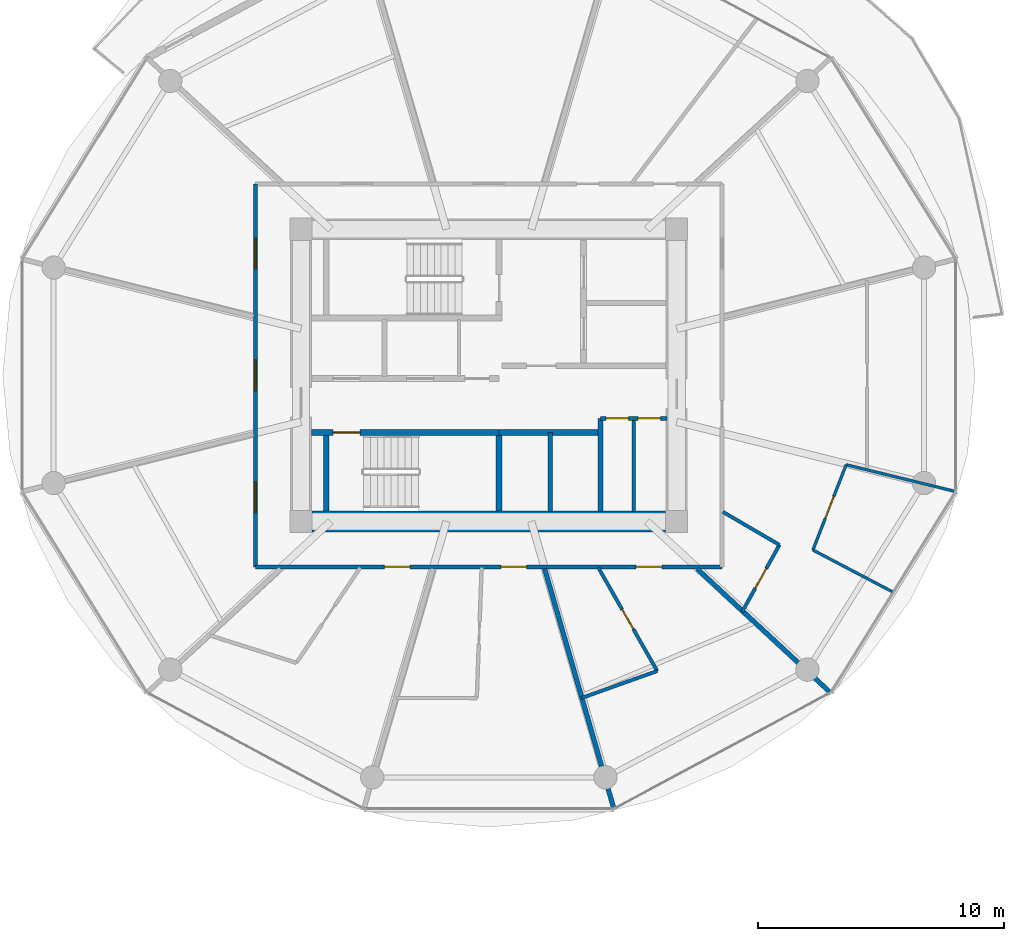
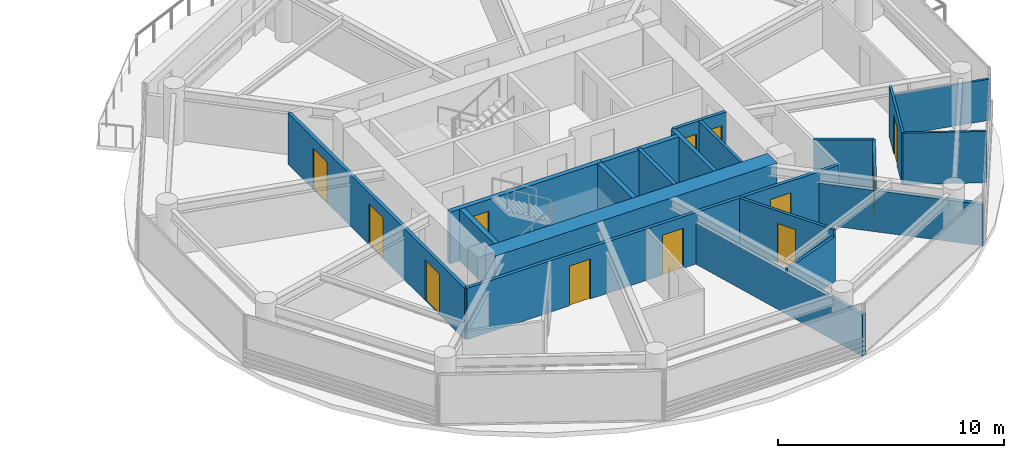
# One storey, part 18 of 26: 20 walls, 12 doors, 12 openings.
"""IFC4 building model written with IfcOpenShell, lengths in metres."""

from ifc_helpers import new_model, si_unit, direction, frame, frame_2d, origin, place, context, subcontext, project, spatial, rectangle, extrude, source, transform, mapped, material, layer, layer_set, type_object, type_shapes, element, fill, save


model = new_model("IFC4")

# Units and contexts
model_context = context("Model", 3, precision=1e-05, world=origin(), true_north=direction((0.0, 1.0)))
body_context = subcontext(model_context, "Body", "Model", "MODEL_VIEW")
ifc_project = project(units=[si_unit("LENGTHUNIT", "METRE"), si_unit("AREAUNIT", "SQUARE_METRE"), si_unit("VOLUMEUNIT", "CUBIC_METRE"), si_unit("PLANEANGLEUNIT", "RADIAN"), si_unit("MASSUNIT", "GRAM", prefix="KILO")], contexts=[model_context])

# Site, building, storey
site_placement = place(None, origin())
site = spatial("IfcSite", under=ifc_project, at=site_placement, CompositionType="ELEMENT")
building_placement = place(site_placement, origin())
building = spatial("IfcBuilding", under=site, at=building_placement, Name="Norrkilde Senior Care Towers", CompositionType="ELEMENT")
storey_placement = place(building_placement, frame((0.0, 0.0, 49.050048828125)))
storey = spatial("IfcBuildingStorey", under=building, at=storey_placement, Name="L14", CompositionType="ELEMENT", Elevation=49.050048828125)

# Walls
ifc_material_1 = material(Name="Concrete C60/75", Category="concrete")
ifc_layer_1 = layer(ifc_material_1, 0.85009765625)
ifc_layer_set_1 = layer_set([ifc_layer_1], Name="Concrete C60/75")
wall_type_1 = type_object("IfcWallType", Name="Core Shear Wall Z1 850", PredefinedType="SHEAR", material=ifc_layer_set_1)
shared_shape_1 = source(origin(), body_context, "Body", "SweptSolid", [
    extrude(rectangle(XDim=14.39990234375, YDim=0.85009765625, at=frame_2d((7.199951171875, 0.0))), origin(), (0.0, 0.0, 1.0), 2.7900390625),
])
type_shapes(wall_type_1, [shared_shape_1])
wall_1_placement = place(storey_placement, frame((35.199951171875, -5.949951171875, 0.0), z_axis=(0.0, 0.0, 1.0), x_axis=(-1.0, 0.0, 0.0)))
element("IfcWall", 1, at=wall_1_placement, inside=storey, type_object=wall_type_1, Name="L14 Core E South Shear Wall", PredefinedType="SHEAR", context=body_context, shape_type="MappedRepresentation", body=[
    mapped(shared_shape_1, transform((0.0, 0.0, 0.0), x_axis=(1.0, 0.0, 0.0), y_axis=(0.0, 1.0, 0.0), z_axis=(0.0, 0.0, 1.0), scale=1.0)),
])
ifc_material_2 = material(Name="Concrete C45/55", Category="concrete")
ifc_layer_2 = layer(ifc_material_2, 0.199951171875)
ifc_layer_set_2 = layer_set([ifc_layer_2], Name="Concrete C45/55")
wall_type_2 = type_object("IfcWallType", Name="Shaft Division and Plant Partition 200", PredefinedType="PARTITIONING", material=ifc_layer_set_2)
shared_shape_2 = source(origin(), body_context, "Body", "SweptSolid", [
    extrude(rectangle(XDim=3.800048828125, YDim=0.199951171875, at=frame_2d((1.89990234375, 0.0))), origin(), (0.0, 0.0, 1.0), 2.77490234375),
])
type_shapes(wall_type_2, [shared_shape_2])
wall_2_placement = place(storey_placement, frame((32.550048828125, -5.550048828125, 0.0), z_axis=(0.0, 0.0, 1.0), x_axis=(0.0, 1.0, 0.0)))
element("IfcWall", 2, at=wall_2_placement, inside=storey, type_object=wall_type_2, Name="WL-INT-L14-E-PKBE", PredefinedType="PARTITIONING", context=body_context, shape_type="MappedRepresentation", body=[
    mapped(shared_shape_2, transform((0.0, 0.0, 0.0), x_axis=(1.0, 0.0, 0.0), y_axis=(0.0, 1.0, 0.0), z_axis=(0.0, 0.0, 1.0), scale=1.0)),
])
ifc_layer_3 = layer(ifc_material_2, 0.239990234375)
ifc_layer_set_3 = layer_set([ifc_layer_3], Name="Concrete C45/55")
wall_type_3 = type_object("IfcWallType", Name="Lift and Plant Rated Enclosure Partition 240", PredefinedType="PARTITIONING", material=ifc_layer_set_3)
shared_shape_3 = source(origin(), body_context, "Body", "SweptSolid", [
    extrude(rectangle(XDim=4.130126953125, YDim=0.239990234375, at=frame_2d((2.06494140625, 0.0))), origin(), (0.0, 0.0, 1.0), 2.77490234375),
])
type_shapes(wall_type_3, [shared_shape_3])
wall_3_placement = place(storey_placement, frame((28.419921875, -2.330078125, 0.0), z_axis=(0.0, 0.0, 1.0), x_axis=(1.0, 0.0, 0.0)))
element("IfcWall", 3, at=wall_3_placement, inside=storey, type_object=wall_type_3, Name="WL-INT-L14-E-PKBN", PredefinedType="PARTITIONING", context=body_context, shape_type="MappedRepresentation", body=[
    mapped(shared_shape_3, transform((0.0, 0.0, 0.0), x_axis=(1.0, 0.0, 0.0), y_axis=(0.0, 1.0, 0.0), z_axis=(0.0, 0.0, 1.0), scale=1.0)),
])
ifc_layer_4 = layer(ifc_material_2, 0.179931640625)
ifc_layer_set_4 = layer_set([ifc_layer_4], Name="Concrete C45/55")
wall_type_4 = type_object("IfcWallType", Name="Hoistway Division Rated Partition 180", PredefinedType="PARTITIONING", material=ifc_layer_set_4)
shared_shape_4 = source(origin(), body_context, "Body", "SweptSolid", [
    extrude(rectangle(XDim=3.219970703125, YDim=0.179931640625, at=frame_2d((1.60986328125, 0.0))), origin(), (0.0, 0.0, 1.0), 2.77490234375),
])
type_shapes(wall_type_4, [shared_shape_4])
wall_4_placement = place(storey_placement, frame((30.5, -5.550048828125, 0.0), z_axis=(0.0, 0.0, 1.0), x_axis=(0.0, 1.0, 0.0)))
element("IfcWall", 4, at=wall_4_placement, inside=storey, type_object=wall_type_4, Name="WL-INT-L14-E-PL34", PredefinedType="PARTITIONING", context=body_context, shape_type="MappedRepresentation", body=[
    mapped(shared_shape_4, transform((0.0, 0.0, 0.0), x_axis=(1.0, 0.0, 0.0), y_axis=(0.0, 1.0, 0.0), z_axis=(0.0, 0.0, 1.0), scale=1.0)),
])

# Wall, openings, doors
ifc_material_3 = material(Name="Gypsum Acoustic Board")
ifc_layer_5 = layer(ifc_material_3, 0.1650390625)
ifc_layer_set_5 = layer_set([ifc_layer_5], Name="Gypsum Acoustic Board")
wall_type_5 = type_object("IfcWallType", Name="Corridor Rated Partition 165", PredefinedType="PARTITIONING", material=ifc_layer_set_5)
shared_shape_5 = source(origin(), body_context, "Body", "SweptSolid", [
    extrude(rectangle(XDim=2.699951171875, YDim=0.1650390625, at=frame_2d((1.35009765625, 0.0))), origin(), (0.0, 0.0, 1.0), 2.77490234375),
])
wall_5_placement = place(storey_placement, frame((32.550048828125, -1.75, 0.0), z_axis=(0.0, 0.0, 1.0), x_axis=(1.0, 0.0, 0.0)))
wall_5 = element("IfcWall", 5, at=wall_5_placement, inside=storey, type_object=wall_type_5, Name="WL-INT-L14-E-CSN", PredefinedType="PARTITIONING", context=body_context, shape_type="MappedRepresentation", body=[
    mapped(shared_shape_5, transform((0.0, 0.0, 0.0), x_axis=(1.0, 0.0, 0.0), y_axis=(0.0, 1.0, 0.0), z_axis=(0.0, 0.0, 1.0), scale=1.0)),
])
opening_1_placement = place(wall_5_placement, frame((0.222412109375, 0.0, 0.0)))
opening_1 = element("IfcOpeningElement", 6, at=opening_1_placement, cuts=wall_5, Name="Opening D-12", PredefinedType="OPENING", context=body_context, shape_type="SweptSolid", body=[
    extrude(rectangle(XDim=0.925048828125, YDim=2.10009765625, at=frame_2d((0.46240234375, 1.050048828125))), frame((0.0, 0.092529296875, 0.0), z_axis=(0.0, -1.0, 0.0), x_axis=(1.0, 0.0, 0.0)), (0.0, 0.0, 1.0), 0.18505859375),
])
opening_2_placement = place(wall_5_placement, frame((1.5224609375, 0.0, 0.0)))
opening_2 = element("IfcOpeningElement", 7, at=opening_2_placement, cuts=wall_5, Name="Opening D-12", PredefinedType="OPENING", context=body_context, shape_type="SweptSolid", body=[
    extrude(rectangle(XDim=0.925048828125, YDim=2.10009765625, at=frame_2d((0.46240234375, 1.050048828125))), frame((0.0, 0.092529296875, 0.0), z_axis=(0.0, -1.0, 0.0), x_axis=(1.0, 0.0, 0.0)), (0.0, 0.0, 1.0), 0.18505859375),
])
ifc_material_4 = material(Name="Galvanised Painted Steel", Category="steel")
door_type_1 = type_object("IfcDoorType", Name="Core Wet Room Rated Door 925x2100", OperationType="NOTDEFINED", PredefinedType="DOOR", material=ifc_material_4)
shared_shape_6 = source(origin(), body_context, "Body", "SweptSolid", [
    extrude(rectangle(XDim=0.925048828125, YDim=2.10009765625, at=frame_2d((0.46240234375, 1.050048828125))), frame((0.0, 0.02490234375, 0.0), z_axis=(0.0, -1.0, 0.0), x_axis=(1.0, 0.0, 0.0)), (0.0, 0.0, 1.0), 0.050048828125),
])
type_shapes(door_type_1, [shared_shape_6])
door_1_placement = place(opening_1_placement, origin())
door_1 = element("IfcDoor", 8, at=door_1_placement, inside=storey, type_object=door_type_1, Name="L14 Staff Accessible WC E Door", OperationType="SINGLE_SWING_LEFT", OverallHeight=2.10009765625, OverallWidth=0.925048828125, PredefinedType="DOOR", context=body_context, shape_type="MappedRepresentation", body=[
    mapped(shared_shape_6, transform((0.0, 0.0, 0.0), x_axis=(1.0, 0.0, 0.0), y_axis=(0.0, 1.0, 0.0), z_axis=(0.0, 0.0, 1.0), scale=1.0)),
])
fill(opening_1, door_1)
door_2_placement = place(opening_2_placement, origin())
door_2 = element("IfcDoor", 9, at=door_2_placement, inside=storey, type_object=door_type_1, Name="L14 Housekeeping Store E Door", OperationType="SINGLE_SWING_RIGHT", OverallHeight=2.10009765625, OverallWidth=0.925048828125, PredefinedType="DOOR", context=body_context, shape_type="MappedRepresentation", body=[
    mapped(shared_shape_6, transform((0.0, 0.0, 0.0), x_axis=(1.0, 0.0, 0.0), y_axis=(0.0, 1.0, 0.0), z_axis=(0.0, 0.0, 1.0), scale=1.0)),
])
fill(opening_2, door_2)

shared_shape_7 = source(origin(), body_context, "Body", "SweptSolid", [
    extrude(rectangle(XDim=19.0, YDim=0.1650390625, at=frame_2d((9.5, 0.0))), origin(), (0.0, 0.0, 1.0), 2.77490234375),
])
wall_6_placement = place(storey_placement, frame((37.5, -7.800048828125, 0.0), z_axis=(0.0, 0.0, 1.0), x_axis=(-1.0, 0.0, 0.0)))
wall_6 = element("IfcWall", 10, at=wall_6_placement, inside=storey, type_object=wall_type_5, Name="WL-INT-L14-E-CRW-S-0", PredefinedType="PARTITIONING", context=body_context, shape_type="MappedRepresentation", body=[
    mapped(shared_shape_7, transform((0.0, 0.0, 0.0), x_axis=(1.0, 0.0, 0.0), y_axis=(0.0, 1.0, 0.0), z_axis=(0.0, 0.0, 1.0), scale=1.0)),
])
opening_3_placement = place(wall_6_placement, frame((12.705810546875, 0.0, 0.0)))
opening_3 = element("IfcOpeningElement", 11, at=opening_3_placement, cuts=wall_6, Name="Opening D-06", PredefinedType="OPENING", context=body_context, shape_type="SweptSolid", body=[
    extrude(rectangle(XDim=1.050048828125, YDim=2.14990234375, at=frame_2d((0.52490234375, 1.074951171875))), frame((0.0, 0.092529296875, 0.0), z_axis=(0.0, -1.0, 0.0), x_axis=(1.0, 0.0, 0.0)), (0.0, 0.0, 1.0), 0.18505859375),
])
opening_4_placement = place(wall_6_placement, frame((7.958740234375, 0.0, 0.0)))
opening_4 = element("IfcOpeningElement", 12, at=opening_4_placement, cuts=wall_6, Name="Opening D-06", PredefinedType="OPENING", context=body_context, shape_type="SweptSolid", body=[
    extrude(rectangle(XDim=1.050048828125, YDim=2.14990234375, at=frame_2d((0.52490234375, 1.074951171875))), frame((0.0, 0.092529296875, 0.0), z_axis=(0.0, -1.0, 0.0), x_axis=(1.0, 0.0, 0.0)), (0.0, 0.0, 1.0), 0.18505859375),
])
opening_5_placement = place(wall_6_placement, frame((2.45068359375, 0.0, 0.0)))
opening_5 = element("IfcOpeningElement", 13, at=opening_5_placement, cuts=wall_6, Name="Opening D-06", PredefinedType="OPENING", context=body_context, shape_type="SweptSolid", body=[
    extrude(rectangle(XDim=1.050048828125, YDim=2.14990234375, at=frame_2d((0.52490234375, 1.074951171875))), frame((0.0, 0.092529296875, 0.0), z_axis=(0.0, -1.0, 0.0), x_axis=(1.0, 0.0, 0.0)), (0.0, 0.0, 1.0), 0.18505859375),
])
ifc_material_5 = material(Name="Nordic Ash Timber", Category="wood")
door_type_2 = type_object("IfcDoorType", Name="Apartment Entrance Fire Door 1050x2150", OperationType="NOTDEFINED", PredefinedType="DOOR", material=ifc_material_5)
shared_shape_8 = source(origin(), body_context, "Body", "SweptSolid", [
    extrude(rectangle(XDim=1.050048828125, YDim=2.14990234375, at=frame_2d((0.52490234375, 1.074951171875))), frame((0.0, 0.02490234375, 0.0), z_axis=(0.0, -1.0, 0.0), x_axis=(1.0, 0.0, 0.0)), (0.0, 0.0, 1.0), 0.050048828125),
])
type_shapes(door_type_2, [shared_shape_8])
door_3_placement = place(opening_3_placement, frame((1.050048828125, 0.0, 0.0), z_axis=(0.0, 0.0, 1.0), x_axis=(-1.0, 0.0, 0.0)))
door_3 = element("IfcDoor", 14, at=door_3_placement, inside=storey, type_object=door_type_2, Name="L14 Studio 14D Entrance Door", OperationType="SINGLE_SWING_RIGHT", OverallHeight=2.14990234375, OverallWidth=1.050048828125, PredefinedType="DOOR", context=body_context, shape_type="MappedRepresentation", body=[
    mapped(shared_shape_8, transform((0.0, 0.0, 0.0), x_axis=(1.0, 0.0, 0.0), y_axis=(0.0, 1.0, 0.0), z_axis=(0.0, 0.0, 1.0), scale=1.0)),
])
fill(opening_3, door_3)
door_4_placement = place(opening_4_placement, frame((1.050048828125, 0.0, 0.0), z_axis=(0.0, 0.0, 1.0), x_axis=(-1.0, 0.0, 0.0)))
door_4 = element("IfcDoor", 15, at=door_4_placement, inside=storey, type_object=door_type_2, Name="L14 Studio 14E Entrance Door", OperationType="SINGLE_SWING_LEFT", OverallHeight=2.14990234375, OverallWidth=1.050048828125, PredefinedType="DOOR", context=body_context, shape_type="MappedRepresentation", body=[
    mapped(shared_shape_8, transform((0.0, 0.0, 0.0), x_axis=(1.0, 0.0, 0.0), y_axis=(0.0, 1.0, 0.0), z_axis=(0.0, 0.0, 1.0), scale=1.0)),
])
fill(opening_4, door_4)
door_5_placement = place(opening_5_placement, frame((1.050048828125, 0.0, 0.0), z_axis=(0.0, 0.0, 1.0), x_axis=(-1.0, 0.0, 0.0)))
door_5 = element("IfcDoor", 16, at=door_5_placement, inside=storey, type_object=door_type_2, Name="L14 Studio 14F Entrance Door", OperationType="SINGLE_SWING_RIGHT", OverallHeight=2.14990234375, OverallWidth=1.050048828125, PredefinedType="DOOR", context=body_context, shape_type="MappedRepresentation", body=[
    mapped(shared_shape_8, transform((0.0, 0.0, 0.0), x_axis=(1.0, 0.0, 0.0), y_axis=(0.0, 1.0, 0.0), z_axis=(0.0, 0.0, 1.0), scale=1.0)),
])
fill(opening_5, door_5)

shared_shape_9 = source(origin(), body_context, "Body", "SweptSolid", [
    extrude(rectangle(XDim=15.60009765625, YDim=0.1650390625, at=frame_2d((7.800048828125, 0.0))), origin(), (0.0, 0.0, 1.0), 2.77490234375),
])
type_shapes(wall_type_5, [shared_shape_5, shared_shape_7, shared_shape_9])
wall_7_placement = place(storey_placement, frame((18.5, -7.800048828125, 0.0), z_axis=(0.0, 0.0, 1.0), x_axis=(0.0, 1.0, 0.0)))
wall_7 = element("IfcWall", 17, at=wall_7_placement, inside=storey, type_object=wall_type_5, Name="WL-INT-L14-E-CRW-W-0", PredefinedType="PARTITIONING", context=body_context, shape_type="MappedRepresentation", body=[
    mapped(shared_shape_9, transform((0.0, 0.0, 0.0), x_axis=(1.0, 0.0, 0.0), y_axis=(0.0, 1.0, 0.0), z_axis=(0.0, 0.0, 1.0), scale=1.0)),
])
opening_6_placement = place(wall_7_placement, frame((12.141357421875, 0.0, 0.0)))
opening_6 = element("IfcOpeningElement", 18, at=opening_6_placement, cuts=wall_7, Name="Opening D-05", PredefinedType="OPENING", context=body_context, shape_type="SweptSolid", body=[
    extrude(rectangle(XDim=1.25, YDim=2.199951171875, at=frame_2d((0.625, 1.10009765625))), frame((0.0, 0.092529296875, 0.0), z_axis=(0.0, -1.0, 0.0), x_axis=(1.0, 0.0, 0.0)), (0.0, 0.0, 1.0), 0.18505859375),
])
opening_7_placement = place(wall_7_placement, frame((7.175048828125, 0.0, 0.0)))
opening_7 = element("IfcOpeningElement", 19, at=opening_7_placement, cuts=wall_7, Name="Opening D-05", PredefinedType="OPENING", context=body_context, shape_type="SweptSolid", body=[
    extrude(rectangle(XDim=1.25, YDim=2.199951171875, at=frame_2d((0.625, 1.10009765625))), frame((0.0, 0.092529296875, 0.0), z_axis=(0.0, -1.0, 0.0), x_axis=(1.0, 0.0, 0.0)), (0.0, 0.0, 1.0), 0.18505859375),
])
opening_8_placement = place(wall_7_placement, frame((2.20849609375, 0.0, 0.0)))
opening_8 = element("IfcOpeningElement", 20, at=opening_8_placement, cuts=wall_7, Name="Opening D-05", PredefinedType="OPENING", context=body_context, shape_type="SweptSolid", body=[
    extrude(rectangle(XDim=1.25, YDim=2.199951171875, at=frame_2d((0.625, 1.10009765625))), frame((0.0, 0.092529296875, 0.0), z_axis=(0.0, -1.0, 0.0), x_axis=(1.0, 0.0, 0.0)), (0.0, 0.0, 1.0), 0.18505859375),
])
door_type_3 = type_object("IfcDoorType", Name="Care Bedroom Bariatric Door 1250x2200", OperationType="NOTDEFINED", PredefinedType="DOOR", material=ifc_material_5)
shared_shape_10 = source(origin(), body_context, "Body", "SweptSolid", [
    extrude(rectangle(XDim=1.25, YDim=2.199951171875, at=frame_2d((0.625, 1.10009765625))), frame((0.0, 0.02490234375, 0.0), z_axis=(0.0, -1.0, 0.0), x_axis=(1.0, 0.0, 0.0)), (0.0, 0.0, 1.0), 0.050048828125),
])
type_shapes(door_type_3, [shared_shape_10])
door_6_placement = place(opening_6_placement, frame((1.25, 0.0, 0.0), z_axis=(0.0, 0.0, 1.0), x_axis=(-1.0, 0.0, 0.0)))
door_6 = element("IfcDoor", 21, at=door_6_placement, inside=storey, type_object=door_type_3, Name="L14 Resident Therapeutic Day Lounge Door", OperationType="SINGLE_SWING_LEFT", OverallHeight=2.199951171875, OverallWidth=1.25, PredefinedType="DOOR", context=body_context, shape_type="MappedRepresentation", body=[
    mapped(shared_shape_10, transform((0.0, 0.0, 0.0), x_axis=(1.0, 0.0, 0.0), y_axis=(0.0, 1.0, 0.0), z_axis=(0.0, 0.0, 1.0), scale=1.0)),
])
fill(opening_6, door_6)
door_7_placement = place(opening_7_placement, frame((1.25, 0.0, 0.0), z_axis=(0.0, 0.0, 1.0), x_axis=(-1.0, 0.0, 0.0)))
door_7 = element("IfcDoor", 22, at=door_7_placement, inside=storey, type_object=door_type_3, Name="L14 Household Communal Dining Salon Door", OperationType="SINGLE_SWING_RIGHT", OverallHeight=2.199951171875, OverallWidth=1.25, PredefinedType="DOOR", context=body_context, shape_type="MappedRepresentation", body=[
    mapped(shared_shape_10, transform((0.0, 0.0, 0.0), x_axis=(1.0, 0.0, 0.0), y_axis=(0.0, 1.0, 0.0), z_axis=(0.0, 0.0, 1.0), scale=1.0)),
])
fill(opening_7, door_7)
door_8_placement = place(opening_8_placement, frame((1.25, 0.0, 0.0), z_axis=(0.0, 0.0, 1.0), x_axis=(-1.0, 0.0, 0.0)))
door_8 = element("IfcDoor", 23, at=door_8_placement, inside=storey, type_object=door_type_3, Name="L14 Household Therapeutic Kitchen Door", OperationType="SINGLE_SWING_LEFT", OverallHeight=2.199951171875, OverallWidth=1.25, PredefinedType="DOOR", context=body_context, shape_type="MappedRepresentation", body=[
    mapped(shared_shape_10, transform((0.0, 0.0, 0.0), x_axis=(1.0, 0.0, 0.0), y_axis=(0.0, 1.0, 0.0), z_axis=(0.0, 0.0, 1.0), scale=1.0)),
])
fill(opening_8, door_8)

# Walls
ifc_layer_6 = layer(ifc_material_3, 0.18994140625)
ifc_layer_set_6 = layer_set([ifc_layer_6], Name="Gypsum Acoustic Board")
wall_type_6 = type_object("IfcWallType", Name="Unit Demising Acoustic Wall 190", PredefinedType="PARTITIONING", material=ifc_layer_set_6)
shared_shape_11 = source(origin(), body_context, "Body", "SweptSolid", [
    extrude(rectangle(XDim=7.4345703125, YDim=0.18994140625, at=frame_2d((3.71728515625, 0.0))), origin(), (0.0, 0.0, 1.0), 2.224853515625),
])
wall_8_placement = place(storey_placement, frame((36.48291015625, -7.8798828125, 0.0), z_axis=(0.0, 0.0, 1.0), x_axis=(0.732651956848, -0.680603489652, 0.0)))
element("IfcWall", 24, at=wall_8_placement, inside=storey, type_object=wall_type_6, Name="WL-INT-L14-E-DEM-10-0", PredefinedType="PARTITIONING", context=body_context, shape_type="MappedRepresentation", body=[
    mapped(shared_shape_11, transform((0.0, 0.0, 0.0), x_axis=(1.0, 0.0, 0.0), y_axis=(0.0, 1.0, 0.0), z_axis=(0.0, 0.0, 1.0), scale=1.0)),
])
shared_shape_12 = source(origin(), body_context, "Body", "SweptSolid", [
    extrude(rectangle(XDim=10.196044921875, YDim=0.18994140625, at=frame_2d((5.09814453125, 0.0))), origin(), (0.0, 0.0, 1.0), 2.224853515625),
])
type_shapes(wall_type_6, [shared_shape_11, shared_shape_12])
wall_9_placement = place(storey_placement, frame((30.27294921875, -7.8798828125, 0.0), z_axis=(0.0, 0.0, 1.0), x_axis=(0.277136420347, -0.960830580549, 0.0)))
element("IfcWall", 25, at=wall_9_placement, inside=storey, type_object=wall_type_6, Name="WL-INT-L14-E-DEM-09-0", PredefinedType="PARTITIONING", context=body_context, shape_type="MappedRepresentation", body=[
    mapped(shared_shape_12, transform((0.0, 0.0, 0.0), x_axis=(1.0, 0.0, 0.0), y_axis=(0.0, 1.0, 0.0), z_axis=(0.0, 0.0, 1.0), scale=1.0)),
])

# Wall, opening, door
ifc_layer_7 = layer(ifc_material_2, 0.239990234375)
ifc_layer_set_7 = layer_set([ifc_layer_7], Name="Concrete C45/55")
wall_type_7 = type_object("IfcWallType", Name="Shaft and Stair Enclosure Wall 240", PredefinedType="PARTITIONING", material=ifc_layer_set_7)
shared_shape_13 = source(origin(), body_context, "Body", "SweptSolid", [
    extrude(rectangle(XDim=7.76513671875, YDim=0.239990234375, at=frame_2d((3.882568359375, 0.0))), origin(), (0.0, 0.0, 1.0), 2.7900390625),
])
wall_10_placement = place(storey_placement, frame((20.77490234375, -2.330078125, 0.0), z_axis=(0.0, 0.0, 1.0), x_axis=(1.0, 0.0, 0.0)))
wall_10 = element("IfcWall", 26, at=wall_10_placement, inside=storey, type_object=wall_type_7, Name="WL-INT-L14-E-ST2N", PredefinedType="PARTITIONING", context=body_context, shape_type="MappedRepresentation", body=[
    mapped(shared_shape_13, transform((0.0, 0.0, 0.0), x_axis=(1.0, 0.0, 0.0), y_axis=(0.0, 1.0, 0.0), z_axis=(0.0, 0.0, 1.0), scale=1.0)),
])
opening_9_placement = place(wall_10_placement, frame((0.885009765625, 0.0, 0.0)))
opening_9 = element("IfcOpeningElement", 27, at=opening_9_placement, cuts=wall_10, Name="Opening D-03", PredefinedType="OPENING", context=body_context, shape_type="SweptSolid", body=[
    extrude(rectangle(XDim=1.10009765625, YDim=2.14990234375, at=frame_2d((0.550048828125, 1.074951171875))), frame((0.0, 0.1298828125, 0.0), z_axis=(0.0, -1.0, 0.0), x_axis=(1.0, 0.0, 0.0)), (0.0, 0.0, 1.0), 0.260009765625),
])
door_type_4 = type_object("IfcDoorType", Name="Stairwell Protected Fire Door 1100x2150", OperationType="NOTDEFINED", PredefinedType="DOOR", material=ifc_material_4)
shared_shape_14 = source(origin(), body_context, "Body", "SweptSolid", [
    extrude(rectangle(XDim=1.10009765625, YDim=2.14990234375, at=frame_2d((0.550048828125, 1.074951171875))), frame((0.0, 0.02490234375, 0.0), z_axis=(0.0, -1.0, 0.0), x_axis=(1.0, 0.0, 0.0)), (0.0, 0.0, 1.0), 0.050048828125),
])
type_shapes(door_type_4, [shared_shape_14])
door_9_placement = place(opening_9_placement, frame((1.10009765625, 0.0, 0.0), z_axis=(0.0, 0.0, 1.0), x_axis=(-1.0, 0.0, 0.0)))
door_9 = element("IfcDoor", 28, at=door_9_placement, inside=storey, type_object=door_type_4, Name="L14 Stair E2 Fire Door", OperationType="SINGLE_SWING_RIGHT", OverallHeight=2.14990234375, OverallWidth=1.10009765625, PredefinedType="DOOR", context=body_context, shape_type="MappedRepresentation", body=[
    mapped(shared_shape_14, transform((0.0, 0.0, 0.0), x_axis=(1.0, 0.0, 0.0), y_axis=(0.0, 1.0, 0.0), z_axis=(0.0, 0.0, 1.0), scale=1.0)),
])
fill(opening_9, door_9)

# Walls
shared_shape_15 = source(origin(), body_context, "Body", "SweptSolid", [
    extrude(rectangle(XDim=3.074951171875, YDim=0.239990234375, at=frame_2d((1.53759765625, 0.0))), origin(), (0.0, 0.0, 1.0), 2.7900390625),
])
type_shapes(wall_type_7, [shared_shape_13, shared_shape_15])
for number, where, z_axis, x_axis, name in (
    (29, (21.3798828125, -5.52490234375, 0.0), (0.0, 0.0, 1.0), (0.0, 1.0, 0.0), "WL-INT-L14-E-ST2W"),
    (30, (28.419921875, -5.52490234375, 0.0), (0.0, 0.0, 1.0), (0.0, 1.0, 0.0), "WL-INT-L14-E-ST2E"),
):
    element("IfcWall", number, at=place(storey_placement, frame(where, z_axis=z_axis, x_axis=x_axis)), inside=storey, type_object=wall_type_7, Name=name, PredefinedType="PARTITIONING", context=body_context, shape_type="MappedRepresentation", body=[
        mapped(shared_shape_15, transform((0.0, 0.0, 0.0), x_axis=(1.0, 0.0, 0.0), y_axis=(0.0, 1.0, 0.0), z_axis=(0.0, 0.0, 1.0), scale=1.0)),
    ])
ifc_layer_8 = layer(ifc_material_3, 0.139892578125)
ifc_layer_set_8 = layer_set([ifc_layer_8], Name="Gypsum Acoustic Board")
wall_type_8 = type_object("IfcWallType", Name="En-suite Wet Room Wall 140", PredefinedType="PARTITIONING", material=ifc_layer_set_8)
shared_shape_16 = source(origin(), body_context, "Body", "SweptSolid", [
    extrude(rectangle(XDim=3.800048828125, YDim=0.139892578125, at=frame_2d((1.89990234375, 0.0))), origin(), (0.0, 0.0, 1.0), 2.77490234375),
])
wall_11_placement = place(storey_placement, frame((33.89990234375, -5.550048828125, 0.0), z_axis=(0.0, 0.0, 1.0), x_axis=(0.0, 1.0, 0.0)))
element("IfcWall", 31, at=wall_11_placement, inside=storey, type_object=wall_type_8, Name="WL-INT-L14-E-CS1V", PredefinedType="PARTITIONING", context=body_context, shape_type="MappedRepresentation", body=[
    mapped(shared_shape_16, transform((0.0, 0.0, 0.0), x_axis=(1.0, 0.0, 0.0), y_axis=(0.0, 1.0, 0.0), z_axis=(0.0, 0.0, 1.0), scale=1.0)),
])
shared_shape_17 = source(origin(), body_context, "Body", "SweptSolid", [
    extrude(rectangle(XDim=2.66943359375, YDim=0.139892578125, at=frame_2d((1.334716796875, 0.0))), origin(), (0.0, 0.0, 1.0), 2.77490234375),
])
wall_12_placement = place(storey_placement, frame((37.530029296875, -5.560546875, 0.0), z_axis=(0.0, 0.0, 1.0), x_axis=(0.86369928178, -0.50400749067, 0.0)))
element("IfcWall", 32, at=wall_12_placement, inside=storey, type_object=wall_type_8, Name="WL-INT-L14-E-UBTS-10", PredefinedType="PARTITIONING", context=body_context, shape_type="MappedRepresentation", body=[
    mapped(shared_shape_17, transform((0.0, 0.0, 0.0), x_axis=(1.0, 0.0, 0.0), y_axis=(0.0, 1.0, 0.0), z_axis=(0.0, 0.0, 1.0), scale=1.0)),
])

# Wall, opening, door
shared_shape_18 = source(origin(), body_context, "Body", "SweptSolid", [
    extrude(rectangle(XDim=3.121337890625, YDim=0.139892578125, at=frame_2d((1.560546875, 0.0))), origin(), (0.0, 0.0, 1.0), 2.77490234375),
])
wall_13_placement = place(storey_placement, frame((39.835693359375, -6.906005859375, 0.0), z_axis=(0.0, 0.0, 1.0), x_axis=(-0.487302357327, -0.873233309342, 0.0)))
wall_13 = element("IfcWall", 33, at=wall_13_placement, inside=storey, type_object=wall_type_8, Name="WL-INT-L14-E-UBTF-10", PredefinedType="PARTITIONING", context=body_context, shape_type="MappedRepresentation", body=[
    mapped(shared_shape_18, transform((0.0, 0.0, 0.0), x_axis=(1.0, 0.0, 0.0), y_axis=(0.0, 1.0, 0.0), z_axis=(0.0, 0.0, 1.0), scale=1.0)),
])
opening_10_placement = place(wall_13_placement, frame((1.1005859375, 0.0, 0.0)))
opening_10 = element("IfcOpeningElement", 34, at=opening_10_placement, cuts=wall_13, Name="Opening D-08", PredefinedType="OPENING", context=body_context, shape_type="SweptSolid", body=[
    extrude(rectangle(XDim=0.919921875, YDim=2.10009765625, at=frame_2d((0.4599609375, 1.050048828125))), frame((0.0, 0.079833984375, 0.0), z_axis=(0.0, -1.0, 0.0), x_axis=(1.0, 0.0, 0.0)), (0.0, 0.0, 1.0), 0.159912109375),
])
door_type_5 = type_object("IfcDoorType", Name="Accessible Wet Room Door 920x2100", OperationType="NOTDEFINED", PredefinedType="DOOR", material=ifc_material_5)
shared_shape_19 = source(origin(), body_context, "Body", "SweptSolid", [
    extrude(rectangle(XDim=0.919921875, YDim=2.10009765625, at=frame_2d((0.4599609375, 1.050048828125))), frame((0.0, 0.02490234375, 0.0), z_axis=(0.0, -1.0, 0.0), x_axis=(1.0, 0.0, 0.0)), (0.0, 0.0, 1.0), 0.050048828125),
])
type_shapes(door_type_5, [shared_shape_19])
door_10_placement = place(opening_10_placement, origin())
door_10 = element("IfcDoor", 35, at=door_10_placement, inside=storey, type_object=door_type_5, Name="Apartment 14G Bathroom Door", OperationType="SINGLE_SWING_RIGHT", OverallHeight=2.10009765625, OverallWidth=0.919921875, PredefinedType="DOOR", context=body_context, shape_type="MappedRepresentation", body=[
    mapped(shared_shape_19, transform((0.0, 0.0, 0.0), x_axis=(1.0, 0.0, 0.0), y_axis=(0.0, 1.0, 0.0), z_axis=(0.0, 0.0, 1.0), scale=1.0)),
])
fill(opening_10, door_10)

# Wall
ifc_layer_9 = layer(ifc_material_3, 0.114990234375)
ifc_layer_set_9 = layer_set([ifc_layer_9], Name="Gypsum Acoustic Board")
wall_type_9 = type_object("IfcWallType", Name="Internal Room Partition 115", PredefinedType="PARTITIONING", material=ifc_layer_set_9)
shared_shape_20 = source(origin(), body_context, "Body", "SweptSolid", [
    extrude(rectangle(XDim=3.706298828125, YDim=0.114990234375, at=frame_2d((1.85302734375, 0.0))), origin(), (0.0, 0.0, 1.0), 2.77490234375),
])
wall_14_placement = place(storey_placement, frame((41.197998046875, -7.115234375, 0.0), z_axis=(0.0, 0.0, 1.0), x_axis=(0.88538502503, -0.464858427322, 0.0)))
element("IfcWall", 36, at=wall_14_placement, inside=storey, type_object=wall_type_9, Name="WL-INT-L14-E-UKTS-10", PredefinedType="PARTITIONING", context=body_context, shape_type="MappedRepresentation", body=[
    mapped(shared_shape_20, transform((0.0, 0.0, 0.0), x_axis=(1.0, 0.0, 0.0), y_axis=(0.0, 1.0, 0.0), z_axis=(0.0, 0.0, 1.0), scale=1.0)),
])

# Wall, opening, door
shared_shape_21 = source(origin(), body_context, "Body", "SweptSolid", [
    extrude(rectangle(XDim=4.846435546875, YDim=0.139892578125, at=frame_2d((2.42333984375, 0.0))), origin(), (0.0, 0.0, 1.0), 2.77490234375),
])
wall_15_placement = place(storey_placement, frame((32.45849609375, -7.830078125, 0.0), z_axis=(0.0, 0.0, 1.0), x_axis=(0.494841788743, -0.868983086207, 0.0)))
wall_15 = element("IfcWall", 37, at=wall_15_placement, inside=storey, type_object=wall_type_8, Name="WL-INT-L14-E-ES-09", PredefinedType="PARTITIONING", context=body_context, shape_type="MappedRepresentation", body=[
    mapped(shared_shape_21, transform((0.0, 0.0, 0.0), x_axis=(1.0, 0.0, 0.0), y_axis=(0.0, 1.0, 0.0), z_axis=(0.0, 0.0, 1.0), scale=1.0)),
])
opening_11_placement = place(wall_15_placement, frame((1.963134765625, 0.0, 0.0)))
opening_11 = element("IfcOpeningElement", 38, at=opening_11_placement, cuts=wall_15, Name="Opening D-08", PredefinedType="OPENING", context=body_context, shape_type="SweptSolid", body=[
    extrude(rectangle(XDim=0.919921875, YDim=2.10009765625, at=frame_2d((0.4599609375, 1.050048828125))), frame((0.0, 0.079833984375, 0.0), z_axis=(0.0, -1.0, 0.0), x_axis=(1.0, 0.0, 0.0)), (0.0, 0.0, 1.0), 0.159912109375),
])
door_11_placement = place(opening_11_placement, origin())
door_11 = element("IfcDoor", 39, at=door_11_placement, inside=storey, type_object=door_type_5, Name="L14 Studio 14F Bathroom Door", OperationType="SINGLE_SWING_LEFT", OverallHeight=2.10009765625, OverallWidth=0.919921875, PredefinedType="DOOR", context=body_context, shape_type="MappedRepresentation", body=[
    mapped(shared_shape_19, transform((0.0, 0.0, 0.0), x_axis=(1.0, 0.0, 0.0), y_axis=(0.0, 1.0, 0.0), z_axis=(0.0, 0.0, 1.0), scale=1.0)),
])
fill(opening_11, door_11)

# Walls
shared_shape_22 = source(origin(), body_context, "Body", "SweptSolid", [
    extrude(rectangle(XDim=3.276123046875, YDim=0.139892578125, at=frame_2d((1.63818359375, 0.0))), origin(), (0.0, 0.0, 1.0), 2.4150390625),
])
type_shapes(wall_type_8, [shared_shape_16, shared_shape_17, shared_shape_18, shared_shape_21, shared_shape_22])
wall_16_placement = place(storey_placement, frame((34.856689453125, -12.04150390625, 0.0), z_axis=(0.0, 0.0, 1.0), x_axis=(-0.94174696961, -0.336322234221, 0.0)))
element("IfcWall", 40, at=wall_16_placement, inside=storey, type_object=wall_type_8, Name="WL-INT-L14-E-EF-09", PredefinedType="PARTITIONING", context=body_context, shape_type="MappedRepresentation", body=[
    mapped(shared_shape_22, transform((0.0, 0.0, 0.0), x_axis=(1.0, 0.0, 0.0), y_axis=(0.0, 1.0, 0.0), z_axis=(0.0, 0.0, 1.0), scale=1.0)),
])
shared_shape_23 = source(origin(), body_context, "Body", "SweptSolid", [
    extrude(rectangle(XDim=4.607666015625, YDim=0.114990234375, at=frame_2d((2.3037109375, 0.0))), origin(), (0.0, 0.0, 1.0), 2.224853515625),
])
wall_17_placement = place(storey_placement, frame((42.55322265625, -3.641357421875, 0.0), z_axis=(0.0, 0.0, 1.0), x_axis=(0.97135200068, -0.237645304552, 0.0)))
element("IfcWall", 41, at=wall_17_placement, inside=storey, type_object=wall_type_9, Name="WL-INT-L14-E-UBR-10-1", PredefinedType="PARTITIONING", context=body_context, shape_type="MappedRepresentation", body=[
    mapped(shared_shape_23, transform((0.0, 0.0, 0.0), x_axis=(1.0, 0.0, 0.0), y_axis=(0.0, 1.0, 0.0), z_axis=(0.0, 0.0, 1.0), scale=1.0)),
])

# Wall, opening, door
shared_shape_24 = source(origin(), body_context, "Body", "SweptSolid", [
    extrude(rectangle(XDim=3.728759765625, YDim=0.114990234375, at=frame_2d((1.8642578125, 0.0))), origin(), (0.0, 0.0, 1.0), 2.77490234375),
])
type_shapes(wall_type_9, [shared_shape_20, shared_shape_23, shared_shape_24])
wall_18_placement = place(storey_placement, frame((41.197998046875, -7.115234375, 0.0), z_axis=(0.0, 0.0, 1.0), x_axis=(0.363055991464, 0.93176732453, 0.0)))
wall_18 = element("IfcWall", 42, at=wall_18_placement, inside=storey, type_object=wall_type_9, Name="WL-INT-L14-E-UKTF-10", PredefinedType="PARTITIONING", context=body_context, shape_type="MappedRepresentation", body=[
    mapped(shared_shape_24, transform((0.0, 0.0, 0.0), x_axis=(1.0, 0.0, 0.0), y_axis=(0.0, 1.0, 0.0), z_axis=(0.0, 0.0, 1.0), scale=1.0)),
])
opening_12_placement = place(wall_18_placement, frame((1.389404296875, 0.0, 0.0)))
opening_12 = element("IfcOpeningElement", 43, at=opening_12_placement, cuts=wall_18, Name="Opening D-07", PredefinedType="OPENING", context=body_context, shape_type="SweptSolid", body=[
    extrude(rectangle(XDim=0.949951171875, YDim=2.10009765625, at=frame_2d((0.47509765625, 1.050048828125))), frame((0.0, 0.0673828125, 0.0), z_axis=(0.0, -1.0, 0.0), x_axis=(1.0, 0.0, 0.0)), (0.0, 0.0, 1.0), 0.135009765625),
])
door_type_6 = type_object("IfcDoorType", Name="Internal Suite Bedroom Door 950x2100", OperationType="NOTDEFINED", PredefinedType="DOOR", material=ifc_material_5)
shared_shape_25 = source(origin(), body_context, "Body", "SweptSolid", [
    extrude(rectangle(XDim=0.949951171875, YDim=2.10009765625, at=frame_2d((0.47509765625, 1.050048828125))), frame((0.0, 0.02490234375, 0.0), z_axis=(0.0, -1.0, 0.0), x_axis=(1.0, 0.0, 0.0)), (0.0, 0.0, 1.0), 0.050048828125),
])
type_shapes(door_type_6, [shared_shape_25])
door_12_placement = place(opening_12_placement, frame((0.949951171875, 0.0, 0.0), z_axis=(0.0, 0.0, 1.0), x_axis=(-1.0, 0.0, 0.0)))
door_12 = element("IfcDoor", 44, at=door_12_placement, inside=storey, type_object=door_type_6, Name="Apartment 14G Kitchen Door", OperationType="SINGLE_SWING_LEFT", OverallHeight=2.10009765625, OverallWidth=0.949951171875, PredefinedType="DOOR", context=body_context, shape_type="MappedRepresentation", body=[
    mapped(shared_shape_25, transform((0.0, 0.0, 0.0), x_axis=(1.0, 0.0, 0.0), y_axis=(0.0, 1.0, 0.0), z_axis=(0.0, 0.0, 1.0), scale=1.0)),
])
fill(opening_12, door_12)

save(model, "model.ifc")
